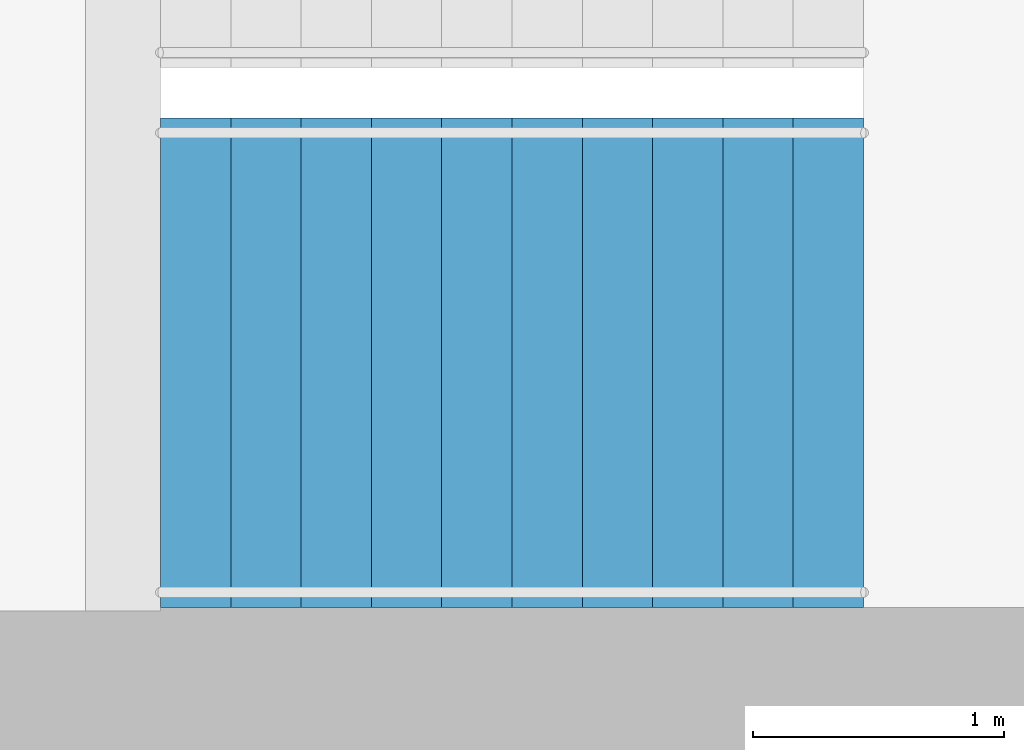
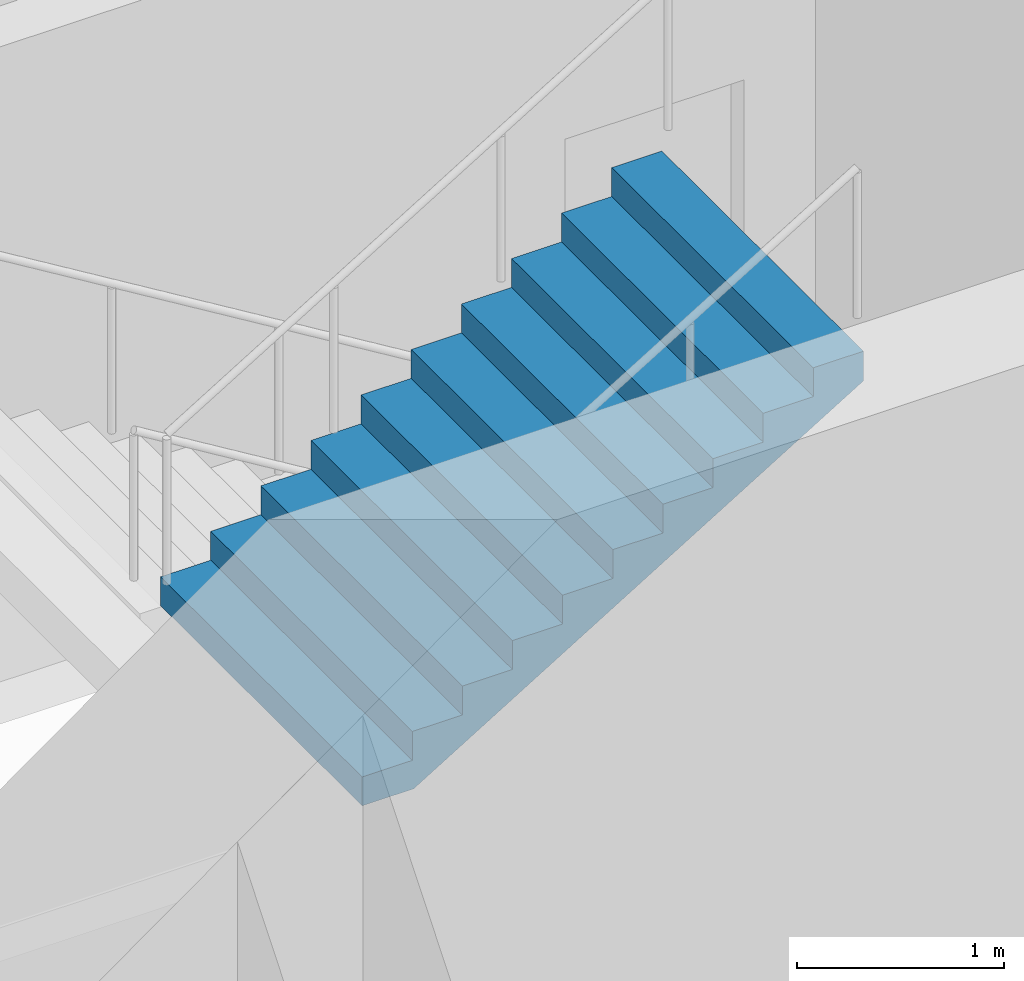
# One storey, part 21 of 23: 1 stair flight, 1 element without a shape of its own.
"""IFC4 building model written with IfcOpenShell, lengths in metres."""

from ifc_helpers import new_model, si_unit, direction, frame, origin, place, context, subcontext, project, spatial, triangles, material, type_object, element, aggregate, save


model = new_model("IFC4")

# Units and contexts
model_context = context("Model", 3, precision=1e-05, world=origin(), true_north=direction((0.0, 1.0)))
body_context = subcontext(model_context, "Body", "Model", "MODEL_VIEW")
ifc_project = project(units=[si_unit("LENGTHUNIT", "METRE"), si_unit("AREAUNIT", "SQUARE_METRE"), si_unit("VOLUMEUNIT", "CUBIC_METRE"), si_unit("PLANEANGLEUNIT", "RADIAN"), si_unit("MASSUNIT", "GRAM", prefix="KILO")], contexts=[model_context])

# Site, building, storey
site_placement = place(None, origin())
site = spatial("IfcSite", under=ifc_project, at=site_placement, CompositionType="ELEMENT")
building_placement = place(site_placement, origin())
building = spatial("IfcBuilding", under=site, at=building_placement, Name="Orbita Commons", CompositionType="ELEMENT")
storey_placement = place(building_placement, frame((0.0, 0.0, 250.300048828125)))
storey = spatial("IfcBuildingStorey", under=building, at=storey_placement, Name="L62", CompositionType="ELEMENT", Elevation=250.300048828125)

# Stair, stair flight
ifc_material_1 = material(Name="Precast concrete C40/50", Category="concrete")
stair_type = type_object("IfcStairType", Name="Exit stair S2 2 flights 11 risers 170", PredefinedType="HALF_TURN_STAIR", material=ifc_material_1)
stair_placement = place(storey_placement, origin())
stair = element("IfcStair", 1, at=stair_placement, inside=storey, type_object=stair_type, Name="Exit stair S2 L62", PredefinedType="HALF_TURN_STAIR")
ifc_material_2 = material(Name="Precast concrete C40/50", Category="concrete")
stair_flight_type = type_object("IfcStairFlightType", Name="Stair flight 11 risers 170 x 280", PredefinedType="STRAIGHT", material=ifc_material_2)
stair_flight_placement = place(storey_placement, frame((60.75, 27.125, 1.875), z_axis=(0.0, 0.0, 1.0), x_axis=(1.0, 0.0, 0.0)))
stair_flight = element("IfcStairFlight", 2, at=stair_flight_placement, type_object=stair_flight_type, Name="S2 flight 2", NumberOfRisers=11, NumberOfTreads=10, PredefinedType="STRAIGHT", RiserHeight=0.170454545, TreadLength=0.28, context=body_context, shape_type="Tessellation", body=[
    triangles([(0.0, 0.974976, 0.0), (0.0, 0.974976, 0.021307), (0.0, 0.81248, 0.021307), (0.0, 0.81248, 0.0), (0.0, 0.649984, 0.021307), (0.0, 0.649984, 0.0), (0.0, 0.487488, 0.021307), (0.0, 0.487488, 0.0), (0.0, 0.324992, 0.021307), (0.0, 0.324992, 0.0), (0.0, 0.162496, 0.021307), (0.0, 0.162496, 0.0), (0.0, 0.0, 0.021307), (0.0, 0.0, 0.0), (0.0, -0.162496, 0.021307), (0.0, -0.162496, 0.0), (0.0, -0.324992, 0.021307), (0.0, -0.324992, 0.0), (0.0, -0.487488, 0.021307), (0.0, -0.487488, 0.0), (0.0, -0.649984, 0.021307), (0.0, -0.649984, 0.0), (0.0, -0.81248, 0.021307), (0.0, -0.81248, 0.0), (0.0, -0.974976, 0.021307), (0.0, -0.974976, 0.0), (0.0, 0.974976, 0.042614), (0.0, 0.81248, 0.042614), (0.0, 0.649984, 0.042614), (0.0, 0.487488, 0.042614), (0.0, 0.324992, 0.042614), (0.0, 0.162496, 0.042614), (0.0, 0.0, 0.042614), (0.0, -0.162496, 0.042614), (0.0, -0.324992, 0.042614), (0.0, -0.487488, 0.042614), (0.0, -0.649984, 0.042614), (0.0, -0.81248, 0.042614), (0.0, -0.974976, 0.042614), (0.0, 0.974976, 0.06392), (0.0, 0.81248, 0.06392), (0.0, 0.649984, 0.06392), (0.0, 0.487488, 0.06392), (0.0, 0.324992, 0.06392), (0.0, 0.162496, 0.06392), (0.0, 0.0, 0.06392), (0.0, -0.162496, 0.06392), (0.0, -0.324992, 0.06392), (0.0, -0.487488, 0.06392), (0.0, -0.649984, 0.06392), (0.0, -0.81248, 0.06392), (0.0, -0.974976, 0.06392), (0.0, 0.974976, 0.085227), (0.0, 0.81248, 0.085227), (0.0, 0.649984, 0.085227), (0.0, 0.487488, 0.085227), (0.0, 0.324992, 0.085227), (0.0, 0.162496, 0.085227), (0.0, 0.0, 0.085227), (0.0, -0.162496, 0.085227), (0.0, -0.324992, 0.085227), (0.0, -0.487488, 0.085227), (0.0, -0.649984, 0.085227), (0.0, -0.81248, 0.085227), (0.0, -0.974976, 0.085227), (0.0, 0.974976, 0.106534), (0.0, 0.81248, 0.106534), (0.0, 0.649984, 0.106534), (0.0, 0.487488, 0.106534), (0.0, 0.324992, 0.106534), (0.0, 0.162496, 0.106534), (0.0, 0.0, 0.106534), (0.0, -0.162496, 0.106534), (0.0, -0.324992, 0.106534), (0.0, -0.487488, 0.106534), (0.0, -0.649984, 0.106534), (0.0, -0.81248, 0.106534), (0.0, -0.974976, 0.106534), (0.0, 0.974976, 0.127841), (0.0, 0.81248, 0.127841), (0.0, 0.649984, 0.127841), (0.0, 0.487488, 0.127841), (0.0, 0.324992, 0.127841), (0.0, 0.162496, 0.127841), (0.0, 0.0, 0.127841), (0.0, -0.162496, 0.127841), (0.0, -0.324992, 0.127841), (0.0, -0.487488, 0.127841), (0.0, -0.649984, 0.127841), (0.0, -0.81248, 0.127841), (0.0, -0.974976, 0.127841), (0.0, 0.974976, 0.149148), (0.0, 0.81248, 0.149148), (0.0, 0.649984, 0.149148), (0.0, 0.487488, 0.149148), (0.0, 0.324992, 0.149148), (0.0, 0.162496, 0.149148), (0.0, 0.0, 0.149148), (0.0, -0.162496, 0.149148), (0.0, -0.324992, 0.149148), (0.0, -0.487488, 0.149148), (0.0, -0.649984, 0.149148), (0.0, -0.81248, 0.149148), (0.0, -0.974976, 0.149148), (0.0, 0.974976, 0.170455), (0.0, 0.81248, 0.170455), (0.0, 0.649984, 0.170455), (0.0, 0.487488, 0.170455), (0.0, 0.324992, 0.170455), (0.0, 0.162496, 0.170455), (0.0, 0.0, 0.170455), (0.0, -0.162496, 0.170455), (0.0, -0.324992, 0.170455), (0.0, -0.487488, 0.170455), (0.0, -0.649984, 0.170455), (0.0, -0.81248, 0.170455), (0.0, -0.974976, 0.170455), (0.28, 0.974976, 0.170455), (0.28, 0.81248, 0.170455), (0.28, 0.649984, 0.170455), (0.28, 0.487488, 0.170455), (0.28, 0.324992, 0.170455), (0.28, 0.162496, 0.170455), (0.28, 0.0, 0.170455), (0.28, -0.162496, 0.170455), (0.28, -0.324992, 0.170455), (0.28, -0.487488, 0.170455), (0.28, -0.649984, 0.170455), (0.28, -0.81248, 0.170455), (0.28, -0.974976, 0.170455), (0.28, 0.974976, 0.340909), (0.28, 0.81248, 0.340909), (0.28, 0.649984, 0.340909), (0.28, 0.487488, 0.340909), (0.28, 0.324992, 0.340909), (0.28, 0.162496, 0.340909), (0.28, 0.0, 0.340909), (0.28, -0.162496, 0.340909), (0.28, -0.324992, 0.340909), (0.28, -0.487488, 0.340909), (0.28, -0.649984, 0.340909), (0.28, -0.81248, 0.340909), (0.28, -0.974976, 0.340909), (0.56, 0.974976, 0.340909), (0.56, 0.81248, 0.340909), (0.56, 0.649984, 0.340909), (0.56, 0.487488, 0.340909), (0.56, 0.324992, 0.340909), (0.56, 0.162496, 0.340909), (0.56, 0.0, 0.340909), (0.56, -0.162496, 0.340909), (0.56, -0.324992, 0.340909), (0.56, -0.487488, 0.340909), (0.56, -0.649984, 0.340909), (0.56, -0.81248, 0.340909), (0.56, -0.974976, 0.340909), (0.56, 0.974976, 0.511364), (0.56, 0.81248, 0.511364), (0.56, 0.649984, 0.511364), (0.56, 0.487488, 0.511364), (0.56, 0.324992, 0.511364), (0.56, 0.162496, 0.511364), (0.56, 0.0, 0.511364), (0.56, -0.162496, 0.511364), (0.56, -0.324992, 0.511364), (0.56, -0.487488, 0.511364), (0.56, -0.649984, 0.511364), (0.56, -0.81248, 0.511364), (0.56, -0.974976, 0.511364), (0.84, 0.974976, 0.511364), (0.84, 0.81248, 0.511364), (0.84, 0.649984, 0.511364), (0.84, 0.487488, 0.511364), (0.84, 0.324992, 0.511364), (0.84, 0.162496, 0.511364), (0.84, 0.0, 0.511364), (0.84, -0.162496, 0.511364), (0.84, -0.324992, 0.511364), (0.84, -0.487488, 0.511364), (0.84, -0.649984, 0.511364), (0.84, -0.81248, 0.511364), (0.84, -0.974976, 0.511364), (0.84, 0.974976, 0.681818), (0.84, 0.81248, 0.681818), (0.84, 0.649984, 0.681818), (0.84, 0.487488, 0.681818), (0.84, 0.324992, 0.681818), (0.84, 0.162496, 0.681818), (0.84, 0.0, 0.681818), (0.84, -0.162496, 0.681818), (0.84, -0.324992, 0.681818), (0.84, -0.487488, 0.681818), (0.84, -0.649984, 0.681818), (0.84, -0.81248, 0.681818), (0.84, -0.974976, 0.681818), (1.12, 0.974976, 0.681818), (1.12, 0.81248, 0.681818), (1.12, 0.649984, 0.681818), (1.12, 0.487488, 0.681818), (1.12, 0.324992, 0.681818), (1.12, 0.162496, 0.681818), (1.12, 0.0, 0.681818), (1.12, -0.162496, 0.681818), (1.12, -0.324992, 0.681818), (1.12, -0.487488, 0.681818), (1.12, -0.649984, 0.681818), (1.12, -0.81248, 0.681818), (1.12, -0.974976, 0.681818), (1.12, 0.974976, 0.852273), (1.12, 0.81248, 0.852273), (1.12, 0.649984, 0.852273), (1.12, 0.487488, 0.852273), (1.12, 0.324992, 0.852273), (1.12, 0.162496, 0.852273), (1.12, 0.0, 0.852273), (1.12, -0.162496, 0.852273), (1.12, -0.324992, 0.852273), (1.12, -0.487488, 0.852273), (1.12, -0.649984, 0.852273), (1.12, -0.81248, 0.852273), (1.12, -0.974976, 0.852273), (1.4, 0.974976, 0.852273), (1.4, 0.81248, 0.852273), (1.4, 0.649984, 0.852273), (1.4, 0.487488, 0.852273), (1.4, 0.324992, 0.852273), (1.4, 0.162496, 0.852273), (1.4, 0.0, 0.852273), (1.4, -0.162496, 0.852273), (1.4, -0.324992, 0.852273), (1.4, -0.487488, 0.852273), (1.4, -0.649984, 0.852273), (1.4, -0.81248, 0.852273), (1.4, -0.974976, 0.852273), (1.4, 0.974976, 1.022727), (1.4, 0.81248, 1.022727), (1.4, 0.649984, 1.022727), (1.4, 0.487488, 1.022727), (1.4, 0.324992, 1.022727), (1.4, 0.162496, 1.022727), (1.4, 0.0, 1.022727), (1.4, -0.162496, 1.022727), (1.4, -0.324992, 1.022727), (1.4, -0.487488, 1.022727), (1.4, -0.649984, 1.022727), (1.4, -0.81248, 1.022727), (1.4, -0.974976, 1.022727), (1.68, 0.974976, 1.022727), (1.68, 0.81248, 1.022727), (1.68, 0.649984, 1.022727), (1.68, 0.487488, 1.022727), (1.68, 0.324992, 1.022727), (1.68, 0.162496, 1.022727), (1.68, 0.0, 1.022727), (1.68, -0.162496, 1.022727), (1.68, -0.324992, 1.022727), (1.68, -0.487488, 1.022727), (1.68, -0.649984, 1.022727), (1.68, -0.81248, 1.022727), (1.68, -0.974976, 1.022727), (1.68, 0.974976, 1.193182), (1.68, 0.81248, 1.193182), (1.68, 0.649984, 1.193182), (1.68, 0.487488, 1.193182), (1.68, 0.324992, 1.193182), (1.68, 0.162496, 1.193182), (1.68, 0.0, 1.193182), (1.68, -0.162496, 1.193182), (1.68, -0.324992, 1.193182), (1.68, -0.487488, 1.193182), (1.68, -0.649984, 1.193182), (1.68, -0.81248, 1.193182), (1.68, -0.974976, 1.193182), (1.96, 0.974976, 1.193182), (1.96, 0.81248, 1.193182), (1.96, 0.649984, 1.193182), (1.96, 0.487488, 1.193182), (1.96, 0.324992, 1.193182), (1.96, 0.162496, 1.193182), (1.96, 0.0, 1.193182), (1.96, -0.162496, 1.193182), (1.96, -0.324992, 1.193182), (1.96, -0.487488, 1.193182), (1.96, -0.649984, 1.193182), (1.96, -0.81248, 1.193182), (1.96, -0.974976, 1.193182), (1.96, 0.974976, 1.363636), (1.96, 0.81248, 1.363636), (1.96, 0.649984, 1.363636), (1.96, 0.487488, 1.363636), (1.96, 0.324992, 1.363636), (1.96, 0.162496, 1.363636), (1.96, 0.0, 1.363636), (1.96, -0.162496, 1.363636), (1.96, -0.324992, 1.363636), (1.96, -0.487488, 1.363636), (1.96, -0.649984, 1.363636), (1.96, -0.81248, 1.363636), (1.96, -0.974976, 1.363636), (2.24, 0.974976, 1.363636), (2.24, 0.81248, 1.363636), (2.24, 0.649984, 1.363636), (2.24, 0.487488, 1.363636), (2.24, 0.324992, 1.363636), (2.24, 0.162496, 1.363636), (2.24, 0.0, 1.363636), (2.24, -0.162496, 1.363636), (2.24, -0.324992, 1.363636), (2.24, -0.487488, 1.363636), (2.24, -0.649984, 1.363636), (2.24, -0.81248, 1.363636), (2.24, -0.974976, 1.363636), (2.24, 0.974976, 1.534091), (2.24, 0.81248, 1.534091), (2.24, 0.649984, 1.534091), (2.24, 0.487488, 1.534091), (2.24, 0.324992, 1.534091), (2.24, 0.162496, 1.534091), (2.24, 0.0, 1.534091), (2.24, -0.162496, 1.534091), (2.24, -0.324992, 1.534091), (2.24, -0.487488, 1.534091), (2.24, -0.649984, 1.534091), (2.24, -0.81248, 1.534091), (2.24, -0.974976, 1.534091), (2.52, 0.974976, 1.534091), (2.52, 0.81248, 1.534091), (2.52, 0.649984, 1.534091), (2.52, 0.487488, 1.534091), (2.52, 0.324992, 1.534091), (2.52, 0.162496, 1.534091), (2.52, 0.0, 1.534091), (2.52, -0.162496, 1.534091), (2.52, -0.324992, 1.534091), (2.52, -0.487488, 1.534091), (2.52, -0.649984, 1.534091), (2.52, -0.81248, 1.534091), (2.52, -0.974976, 1.534091), (2.52, 0.974976, 1.704545), (2.52, 0.81248, 1.704545), (2.52, 0.649984, 1.704545), (2.52, 0.487488, 1.704545), (2.52, 0.324992, 1.704545), (2.52, 0.162496, 1.704545), (2.52, 0.0, 1.704545), (2.52, -0.162496, 1.704545), (2.52, -0.324992, 1.704545), (2.52, -0.487488, 1.704545), (2.52, -0.649984, 1.704545), (2.52, -0.81248, 1.704545), (2.52, -0.974976, 1.704545), (2.8, 0.974976, 1.704545), (2.8, 0.81248, 1.704545), (2.8, 0.649984, 1.704545), (2.8, 0.487488, 1.704545), (2.8, 0.324992, 1.704545), (2.8, 0.162496, 1.704545), (2.8, 0.0, 1.704545), (2.8, -0.162496, 1.704545), (2.8, -0.324992, 1.704545), (2.8, -0.487488, 1.704545), (2.8, -0.649984, 1.704545), (2.8, -0.81248, 1.704545), (2.8, -0.974976, 1.704545), (2.8, 0.974976, 1.682609), (2.8, 0.81248, 1.682609), (2.8, 0.649984, 1.682609), (2.8, 0.487488, 1.682609), (2.8, 0.324992, 1.682609), (2.8, 0.162496, 1.682609), (2.8, 0.0, 1.682609), (2.8, -0.162496, 1.682609), (2.8, -0.324992, 1.682609), (2.8, -0.487488, 1.682609), (2.8, -0.649984, 1.682609), (2.8, -0.81248, 1.682609), (2.8, -0.974976, 1.682609), (2.8, 0.974976, 1.660672), (2.8, 0.81248, 1.660672), (2.8, 0.649984, 1.660672), (2.8, 0.487488, 1.660672), (2.8, 0.324992, 1.660672), (2.8, 0.162496, 1.660672), (2.8, 0.0, 1.660672), (2.8, -0.162496, 1.660672), (2.8, -0.324992, 1.660672), (2.8, -0.487488, 1.660672), (2.8, -0.649984, 1.660672), (2.8, -0.81248, 1.660672), (2.8, -0.974976, 1.660672), (2.8, 0.974976, 1.638735), (2.8, 0.81248, 1.638735), (2.8, 0.649984, 1.638735), (2.8, 0.487488, 1.638735), (2.8, 0.324992, 1.638735), (2.8, 0.162496, 1.638735), (2.8, 0.0, 1.638735), (2.8, -0.162496, 1.638735), (2.8, -0.324992, 1.638735), (2.8, -0.487488, 1.638735), (2.8, -0.649984, 1.638735), (2.8, -0.81248, 1.638735), (2.8, -0.974976, 1.638735), (2.8, 0.974976, 1.616798), (2.8, 0.81248, 1.616798), (2.8, 0.649984, 1.616798), (2.8, 0.487488, 1.616798), (2.8, 0.324992, 1.616798), (2.8, 0.162496, 1.616798), (2.8, 0.0, 1.616798), (2.8, -0.162496, 1.616798), (2.8, -0.324992, 1.616798), (2.8, -0.487488, 1.616798), (2.8, -0.649984, 1.616798), (2.8, -0.81248, 1.616798), (2.8, -0.974976, 1.616798), (2.8, 0.974976, 1.594861), (2.8, 0.81248, 1.594861), (2.8, 0.649984, 1.594861), (2.8, 0.487488, 1.594861), (2.8, 0.324992, 1.594861), (2.8, 0.162496, 1.594861), (2.8, 0.0, 1.594861), (2.8, -0.162496, 1.594861), (2.8, -0.324992, 1.594861), (2.8, -0.487488, 1.594861), (2.8, -0.649984, 1.594861), (2.8, -0.81248, 1.594861), (2.8, -0.974976, 1.594861), (2.8, 0.974976, 1.572925), (2.8, 0.81248, 1.572925), (2.8, 0.649984, 1.572925), (2.8, 0.487488, 1.572925), (2.8, 0.324992, 1.572925), (2.8, 0.162496, 1.572925), (2.8, 0.0, 1.572925), (2.8, -0.162496, 1.572925), (2.8, -0.324992, 1.572925), (2.8, -0.487488, 1.572925), (2.8, -0.649984, 1.572925), (2.8, -0.81248, 1.572925), (2.8, -0.974976, 1.572925), (2.8, 0.974976, 1.550988), (2.8, 0.81248, 1.550988), (2.8, 0.649984, 1.550988), (2.8, 0.487488, 1.550988), (2.8, 0.324992, 1.550988), (2.8, 0.162496, 1.550988), (2.8, 0.0, 1.550988), (2.8, -0.162496, 1.550988), (2.8, -0.324992, 1.550988), (2.8, -0.487488, 1.550988), (2.8, -0.649984, 1.550988), (2.8, -0.81248, 1.550988), (2.8, -0.974976, 1.550988), (2.8, 0.974976, 1.529051), (2.8, 0.81248, 1.529051), (2.8, 0.649984, 1.529051), (2.8, 0.487488, 1.529051), (2.8, 0.324992, 1.529051), (2.8, 0.162496, 1.529051), (2.8, 0.0, 1.529051), (2.8, -0.162496, 1.529051), (2.8, -0.324992, 1.529051), (2.8, -0.487488, 1.529051), (2.8, -0.649984, 1.529051), (2.8, -0.81248, 1.529051), (2.8, -0.974976, 1.529051), (0.288279, 0.974976, 0.0), (0.288279, 0.81248, 0.0), (0.288279, 0.649984, 0.0), (0.288279, 0.487488, 0.0), (0.288279, 0.324992, 0.0), (0.288279, 0.162496, 0.0), (0.288279, 0.0, 0.0), (0.288279, -0.162496, 0.0), (0.288279, -0.324992, 0.0), (0.288279, -0.487488, 0.0), (0.288279, -0.649984, 0.0), (0.288279, -0.81248, 0.0), (0.288279, -0.974976, 0.0)], [[3, 2, 1], [4, 3, 1], [5, 3, 4], [6, 5, 4], [7, 5, 6], [8, 7, 6], [9, 7, 8], [10, 9, 8], [11, 9, 10], [12, 11, 10], [13, 11, 12], [14, 13, 12], [15, 13, 14], [16, 15, 14], [17, 15, 16], [18, 17, 16], [19, 17, 18], [20, 19, 18], [21, 19, 20], [22, 21, 20], [23, 21, 22], [24, 23, 22], [25, 23, 24], [26, 25, 24], [28, 27, 2], [3, 28, 2], [29, 28, 3], [5, 29, 3], [30, 29, 5], [7, 30, 5], [31, 30, 7], [9, 31, 7], [32, 31, 9], [11, 32, 9], [33, 32, 11], [13, 33, 11], [34, 33, 13], [15, 34, 13], [35, 34, 15], [17, 35, 15], [36, 35, 17], [19, 36, 17], [37, 36, 19], [21, 37, 19], [38, 37, 21], [23, 38, 21], [39, 38, 23], [25, 39, 23], [41, 40, 27], [28, 41, 27], [42, 41, 28], [29, 42, 28], [43, 42, 29], [30, 43, 29], [44, 43, 30], [31, 44, 30], [45, 44, 31], [32, 45, 31], [46, 45, 32], [33, 46, 32], [47, 46, 33], [34, 47, 33], [48, 47, 34], [35, 48, 34], [49, 48, 35], [36, 49, 35], [50, 49, 36], [37, 50, 36], [51, 50, 37], [38, 51, 37], [52, 51, 38], [39, 52, 38], [54, 53, 40], [41, 54, 40], [55, 54, 41], [42, 55, 41], [56, 55, 42], [43, 56, 42], [57, 56, 43], [44, 57, 43], [58, 57, 44], [45, 58, 44], [59, 58, 45], [46, 59, 45], [60, 59, 46], [47, 60, 46], [61, 60, 47], [48, 61, 47], [62, 61, 48], [49, 62, 48], [63, 62, 49], [50, 63, 49], [64, 63, 50], [51, 64, 50], [65, 64, 51], [52, 65, 51], [67, 66, 53], [54, 67, 53], [68, 67, 54], [55, 68, 54], [69, 68, 55], [56, 69, 55], [70, 69, 56], [57, 70, 56], [71, 70, 57], [58, 71, 57], [72, 71, 58], [59, 72, 58], [73, 72, 59], [60, 73, 59], [74, 73, 60], [61, 74, 60], [75, 74, 61], [62, 75, 61], [76, 75, 62], [63, 76, 62], [77, 76, 63], [64, 77, 63], [78, 77, 64], [65, 78, 64], [80, 79, 66], [67, 80, 66], [81, 80, 67], [68, 81, 67], [82, 81, 68], [69, 82, 68], [83, 82, 69], [70, 83, 69], [84, 83, 70], [71, 84, 70], [85, 84, 71], [72, 85, 71], [86, 85, 72], [73, 86, 72], [87, 86, 73], [74, 87, 73], [88, 87, 74], [75, 88, 74], [89, 88, 75], [76, 89, 75], [90, 89, 76], [77, 90, 76], [91, 90, 77], [78, 91, 77], [93, 92, 79], [80, 93, 79], [94, 93, 80], [81, 94, 80], [95, 94, 81], [82, 95, 81], [96, 95, 82], [83, 96, 82], [97, 96, 83], [84, 97, 83], [98, 97, 84], [85, 98, 84], [99, 98, 85], [86, 99, 85], [100, 99, 86], [87, 100, 86], [101, 100, 87], [88, 101, 87], [102, 101, 88], [89, 102, 88], [103, 102, 89], [90, 103, 89], [104, 103, 90], [91, 104, 90], [106, 105, 92], [93, 106, 92], [107, 106, 93], [94, 107, 93], [108, 107, 94], [95, 108, 94], [109, 108, 95], [96, 109, 95], [110, 109, 96], [97, 110, 96], [111, 110, 97], [98, 111, 97], [112, 111, 98], [99, 112, 98], [113, 112, 99], [100, 113, 99], [114, 113, 100], [101, 114, 100], [115, 114, 101], [102, 115, 101], [116, 115, 102], [103, 116, 102], [117, 116, 103], [104, 117, 103], [119, 118, 105], [106, 119, 105], [120, 119, 106], [107, 120, 106], [121, 120, 107], [108, 121, 107], [122, 121, 108], [109, 122, 108], [123, 122, 109], [110, 123, 109], [124, 123, 110], [111, 124, 110], [125, 124, 111], [112, 125, 111], [126, 125, 112], [113, 126, 112], [127, 126, 113], [114, 127, 113], [128, 127, 114], [115, 128, 114], [129, 128, 115], [116, 129, 115], [130, 129, 116], [117, 130, 116], [132, 131, 118], [119, 132, 118], [133, 132, 119], [120, 133, 119], [134, 133, 120], [121, 134, 120], [135, 134, 121], [122, 135, 121], [136, 135, 122], [123, 136, 122], [137, 136, 123], [124, 137, 123], [138, 137, 124], [125, 138, 124], [139, 138, 125], [126, 139, 125], [140, 139, 126], [127, 140, 126], [141, 140, 127], [128, 141, 127], [142, 141, 128], [129, 142, 128], [143, 142, 129], [130, 143, 129], [145, 144, 131], [132, 145, 131], [146, 145, 132], [133, 146, 132], [147, 146, 133], [134, 147, 133], [148, 147, 134], [135, 148, 134], [149, 148, 135], [136, 149, 135], [150, 149, 136], [137, 150, 136], [151, 150, 137], [138, 151, 137], [152, 151, 138], [139, 152, 138], [153, 152, 139], [140, 153, 139], [154, 153, 140], [141, 154, 140], [155, 154, 141], [142, 155, 141], [156, 155, 142], [143, 156, 142], [158, 157, 144], [145, 158, 144], [159, 158, 145], [146, 159, 145], [160, 159, 146], [147, 160, 146], [161, 160, 147], [148, 161, 147], [162, 161, 148], [149, 162, 148], [163, 162, 149], [150, 163, 149], [164, 163, 150], [151, 164, 150], [165, 164, 151], [152, 165, 151], [166, 165, 152], [153, 166, 152], [167, 166, 153], [154, 167, 153], [168, 167, 154], [155, 168, 154], [169, 168, 155], [156, 169, 155], [171, 170, 157], [158, 171, 157], [172, 171, 158], [159, 172, 158], [173, 172, 159], [160, 173, 159], [174, 173, 160], [161, 174, 160], [175, 174, 161], [162, 175, 161], [176, 175, 162], [163, 176, 162], [177, 176, 163], [164, 177, 163], [178, 177, 164], [165, 178, 164], [179, 178, 165], [166, 179, 165], [180, 179, 166], [167, 180, 166], [181, 180, 167], [168, 181, 167], [182, 181, 168], [169, 182, 168], [184, 183, 170], [171, 184, 170], [185, 184, 171], [172, 185, 171], [186, 185, 172], [173, 186, 172], [187, 186, 173], [174, 187, 173], [188, 187, 174], [175, 188, 174], [189, 188, 175], [176, 189, 175], [190, 189, 176], [177, 190, 176], [191, 190, 177], [178, 191, 177], [192, 191, 178], [179, 192, 178], [193, 192, 179], [180, 193, 179], [194, 193, 180], [181, 194, 180], [195, 194, 181], [182, 195, 181], [197, 196, 183], [184, 197, 183], [198, 197, 184], [185, 198, 184], [199, 198, 185], [186, 199, 185], [200, 199, 186], [187, 200, 186], [201, 200, 187], [188, 201, 187], [202, 201, 188], [189, 202, 188], [203, 202, 189], [190, 203, 189], [204, 203, 190], [191, 204, 190], [205, 204, 191], [192, 205, 191], [206, 205, 192], [193, 206, 192], [207, 206, 193], [194, 207, 193], [208, 207, 194], [195, 208, 194], [210, 209, 196], [197, 210, 196], [211, 210, 197], [198, 211, 197], [212, 211, 198], [199, 212, 198], [213, 212, 199], [200, 213, 199], [214, 213, 200], [201, 214, 200], [215, 214, 201], [202, 215, 201], [216, 215, 202], [203, 216, 202], [217, 216, 203], [204, 217, 203], [218, 217, 204], [205, 218, 204], [219, 218, 205], [206, 219, 205], [220, 219, 206], [207, 220, 206], [221, 220, 207], [208, 221, 207], [223, 222, 209], [210, 223, 209], [224, 223, 210], [211, 224, 210], [225, 224, 211], [212, 225, 211], [226, 225, 212], [213, 226, 212], [227, 226, 213], [214, 227, 213], [228, 227, 214], [215, 228, 214], [229, 228, 215], [216, 229, 215], [230, 229, 216], [217, 230, 216], [231, 230, 217], [218, 231, 217], [232, 231, 218], [219, 232, 218], [233, 232, 219], [220, 233, 219], [234, 233, 220], [221, 234, 220], [236, 235, 222], [223, 236, 222], [237, 236, 223], [224, 237, 223], [238, 237, 224], [225, 238, 224], [239, 238, 225], [226, 239, 225], [240, 239, 226], [227, 240, 226], [241, 240, 227], [228, 241, 227], [242, 241, 228], [229, 242, 228], [243, 242, 229], [230, 243, 229], [244, 243, 230], [231, 244, 230], [245, 244, 231], [232, 245, 231], [246, 245, 232], [233, 246, 232], [247, 246, 233], [234, 247, 233], [249, 248, 235], [236, 249, 235], [250, 249, 236], [237, 250, 236], [251, 250, 237], [238, 251, 237], [252, 251, 238], [239, 252, 238], [253, 252, 239], [240, 253, 239], [254, 253, 240], [241, 254, 240], [255, 254, 241], [242, 255, 241], [256, 255, 242], [243, 256, 242], [257, 256, 243], [244, 257, 243], [258, 257, 244], [245, 258, 244], [259, 258, 245], [246, 259, 245], [260, 259, 246], [247, 260, 246], [262, 261, 248], [249, 262, 248], [263, 262, 249], [250, 263, 249], [264, 263, 250], [251, 264, 250], [265, 264, 251], [252, 265, 251], [266, 265, 252], [253, 266, 252], [267, 266, 253], [254, 267, 253], [268, 267, 254], [255, 268, 254], [269, 268, 255], [256, 269, 255], [270, 269, 256], [257, 270, 256], [271, 270, 257], [258, 271, 257], [272, 271, 258], [259, 272, 258], [273, 272, 259], [260, 273, 259], [275, 274, 261], [262, 275, 261], [276, 275, 262], [263, 276, 262], [277, 276, 263], [264, 277, 263], [278, 277, 264], [265, 278, 264], [279, 278, 265], [266, 279, 265], [280, 279, 266], [267, 280, 266], [281, 280, 267], [268, 281, 267], [282, 281, 268], [269, 282, 268], [283, 282, 269], [270, 283, 269], [284, 283, 270], [271, 284, 270], [285, 284, 271], [272, 285, 271], [286, 285, 272], [273, 286, 272], [288, 287, 274], [275, 288, 274], [289, 288, 275], [276, 289, 275], [290, 289, 276], [277, 290, 276], [291, 290, 277], [278, 291, 277], [292, 291, 278], [279, 292, 278], [293, 292, 279], [280, 293, 279], [294, 293, 280], [281, 294, 280], [295, 294, 281], [282, 295, 281], [296, 295, 282], [283, 296, 282], [297, 296, 283], [284, 297, 283], [298, 297, 284], [285, 298, 284], [299, 298, 285], [286, 299, 285], [301, 300, 287], [288, 301, 287], [302, 301, 288], [289, 302, 288], [303, 302, 289], [290, 303, 289], [304, 303, 290], [291, 304, 290], [305, 304, 291], [292, 305, 291], [306, 305, 292], [293, 306, 292], [307, 306, 293], [294, 307, 293], [308, 307, 294], [295, 308, 294], [309, 308, 295], [296, 309, 295], [310, 309, 296], [297, 310, 296], [311, 310, 297], [298, 311, 297], [312, 311, 298], [299, 312, 298], [314, 313, 300], [301, 314, 300], [315, 314, 301], [302, 315, 301], [316, 315, 302], [303, 316, 302], [317, 316, 303], [304, 317, 303], [318, 317, 304], [305, 318, 304], [319, 318, 305], [306, 319, 305], [320, 319, 306], [307, 320, 306], [321, 320, 307], [308, 321, 307], [322, 321, 308], [309, 322, 308], [323, 322, 309], [310, 323, 309], [324, 323, 310], [311, 324, 310], [325, 324, 311], [312, 325, 311], [327, 326, 313], [314, 327, 313], [328, 327, 314], [315, 328, 314], [329, 328, 315], [316, 329, 315], [330, 329, 316], [317, 330, 316], [331, 330, 317], [318, 331, 317], [332, 331, 318], [319, 332, 318], [333, 332, 319], [320, 333, 319], [334, 333, 320], [321, 334, 320], [335, 334, 321], [322, 335, 321], [336, 335, 322], [323, 336, 322], [337, 336, 323], [324, 337, 323], [338, 337, 324], [325, 338, 324], [340, 339, 326], [327, 340, 326], [341, 340, 327], [328, 341, 327], [342, 341, 328], [329, 342, 328], [343, 342, 329], [330, 343, 329], [344, 343, 330], [331, 344, 330], [345, 344, 331], [332, 345, 331], [346, 345, 332], [333, 346, 332], [347, 346, 333], [334, 347, 333], [348, 347, 334], [335, 348, 334], [349, 348, 335], [336, 349, 335], [350, 349, 336], [337, 350, 336], [351, 350, 337], [338, 351, 337], [353, 352, 339], [340, 353, 339], [354, 353, 340], [341, 354, 340], [355, 354, 341], [342, 355, 341], [356, 355, 342], [343, 356, 342], [357, 356, 343], [344, 357, 343], [358, 357, 344], [345, 358, 344], [359, 358, 345], [346, 359, 345], [360, 359, 346], [347, 360, 346], [361, 360, 347], [348, 361, 347], [362, 361, 348], [349, 362, 348], [363, 362, 349], [350, 363, 349], [364, 363, 350], [351, 364, 350], [366, 365, 352], [353, 366, 352], [367, 366, 353], [354, 367, 353], [368, 367, 354], [355, 368, 354], [369, 368, 355], [356, 369, 355], [370, 369, 356], [357, 370, 356], [371, 370, 357], [358, 371, 357], [372, 371, 358], [359, 372, 358], [373, 372, 359], [360, 373, 359], [374, 373, 360], [361, 374, 360], [375, 374, 361], [362, 375, 361], [376, 375, 362], [363, 376, 362], [377, 376, 363], [364, 377, 363], [379, 378, 365], [366, 379, 365], [380, 379, 366], [367, 380, 366], [381, 380, 367], [368, 381, 367], [382, 381, 368], [369, 382, 368], [383, 382, 369], [370, 383, 369], [384, 383, 370], [371, 384, 370], [385, 384, 371], [372, 385, 371], [386, 385, 372], [373, 386, 372], [387, 386, 373], [374, 387, 373], [388, 387, 374], [375, 388, 374], [389, 388, 375], [376, 389, 375], [390, 389, 376], [377, 390, 376], [392, 391, 378], [379, 392, 378], [393, 392, 379], [380, 393, 379], [394, 393, 380], [381, 394, 380], [395, 394, 381], [382, 395, 381], [396, 395, 382], [383, 396, 382], [397, 396, 383], [384, 397, 383], [398, 397, 384], [385, 398, 384], [399, 398, 385], [386, 399, 385], [400, 399, 386], [387, 400, 386], [401, 400, 387], [388, 401, 387], [402, 401, 388], [389, 402, 388], [403, 402, 389], [390, 403, 389], [405, 404, 391], [392, 405, 391], [406, 405, 392], [393, 406, 392], [407, 406, 393], [394, 407, 393], [408, 407, 394], [395, 408, 394], [409, 408, 395], [396, 409, 395], [410, 409, 396], [397, 410, 396], [411, 410, 397], [398, 411, 397], [412, 411, 398], [399, 412, 398], [413, 412, 399], [400, 413, 399], [414, 413, 400], [401, 414, 400], [415, 414, 401], [402, 415, 401], [416, 415, 402], [403, 416, 402], [418, 417, 404], [405, 418, 404], [419, 418, 405], [406, 419, 405], [420, 419, 406], [407, 420, 406], [421, 420, 407], [408, 421, 407], [422, 421, 408], [409, 422, 408], [423, 422, 409], [410, 423, 409], [424, 423, 410], [411, 424, 410], [425, 424, 411], [412, 425, 411], [426, 425, 412], [413, 426, 412], [427, 426, 413], [414, 427, 413], [428, 427, 414], [415, 428, 414], [429, 428, 415], [416, 429, 415], [431, 430, 417], [418, 431, 417], [432, 431, 418], [419, 432, 418], [433, 432, 419], [420, 433, 419], [434, 433, 420], [421, 434, 420], [435, 434, 421], [422, 435, 421], [436, 435, 422], [423, 436, 422], [437, 436, 423], [424, 437, 423], [438, 437, 424], [425, 438, 424], [439, 438, 425], [426, 439, 425], [440, 439, 426], [427, 440, 426], [441, 440, 427], [428, 441, 427], [442, 441, 428], [429, 442, 428], [444, 443, 430], [431, 444, 430], [445, 444, 431], [432, 445, 431], [446, 445, 432], [433, 446, 432], [447, 446, 433], [434, 447, 433], [448, 447, 434], [435, 448, 434], [449, 448, 435], [436, 449, 435], [450, 449, 436], [437, 450, 436], [451, 450, 437], [438, 451, 437], [452, 451, 438], [439, 452, 438], [453, 452, 439], [440, 453, 439], [454, 453, 440], [441, 454, 440], [455, 454, 441], [442, 455, 441], [457, 456, 443], [444, 457, 443], [458, 457, 444], [445, 458, 444], [459, 458, 445], [446, 459, 445], [460, 459, 446], [447, 460, 446], [461, 460, 447], [448, 461, 447], [462, 461, 448], [449, 462, 448], [463, 462, 449], [450, 463, 449], [464, 463, 450], [451, 464, 450], [465, 464, 451], [452, 465, 451], [466, 465, 452], [453, 466, 452], [467, 466, 453], [454, 467, 453], [468, 467, 454], [455, 468, 454], [470, 469, 456], [457, 470, 456], [471, 470, 457], [458, 471, 457], [472, 471, 458], [459, 472, 458], [473, 472, 459], [460, 473, 459], [474, 473, 460], [461, 474, 460], [475, 474, 461], [462, 475, 461], [476, 475, 462], [463, 476, 462], [477, 476, 463], [464, 477, 463], [478, 477, 464], [465, 478, 464], [479, 478, 465], [466, 479, 465], [480, 479, 466], [467, 480, 466], [481, 480, 467], [468, 481, 467], [4, 1, 469], [470, 4, 469], [6, 4, 470], [471, 6, 470], [8, 6, 471], [472, 8, 471], [10, 8, 472], [473, 10, 472], [12, 10, 473], [474, 12, 473], [14, 12, 474], [475, 14, 474], [16, 14, 475], [476, 16, 475], [18, 16, 476], [477, 18, 476], [20, 18, 477], [478, 20, 477], [22, 20, 478], [479, 22, 478], [24, 22, 479], [480, 24, 479], [26, 24, 480], [481, 26, 480], [456, 469, 1], [26, 481, 468], [443, 456, 1], [26, 468, 455], [430, 443, 1], [26, 455, 442], [417, 430, 1], [26, 442, 429], [404, 417, 1], [26, 429, 416], [391, 404, 1], [26, 416, 403], [378, 391, 1], [26, 403, 390], [365, 378, 1], [26, 390, 377], [339, 352, 365], [377, 364, 351], [326, 339, 365], [377, 351, 338], [300, 313, 326], [338, 325, 312], [300, 326, 365], [377, 338, 312], [274, 287, 300], [312, 299, 286], [274, 300, 365], [377, 312, 286], [248, 261, 274], [286, 273, 260], [248, 274, 365], [377, 286, 260], [222, 235, 248], [260, 247, 234], [222, 248, 365], [377, 260, 234], [196, 209, 222], [234, 221, 208], [196, 222, 365], [377, 234, 208], [170, 183, 196], [208, 195, 182], [170, 196, 365], [377, 208, 182], [144, 157, 170], [182, 169, 156], [144, 170, 365], [377, 182, 156], [118, 131, 144], [156, 143, 130], [118, 144, 365], [377, 156, 130], [118, 365, 1], [26, 377, 130], [92, 105, 118], [130, 117, 104], [79, 92, 118], [130, 104, 91], [66, 79, 118], [130, 91, 78], [53, 66, 118], [130, 78, 65], [40, 53, 118], [130, 65, 52], [27, 40, 118], [130, 52, 39], [2, 27, 118], [130, 39, 25], [1, 2, 118], [130, 25, 26]], closed=True),
])
aggregate(stair, [stair_flight])

save(model, "model.ifc")
